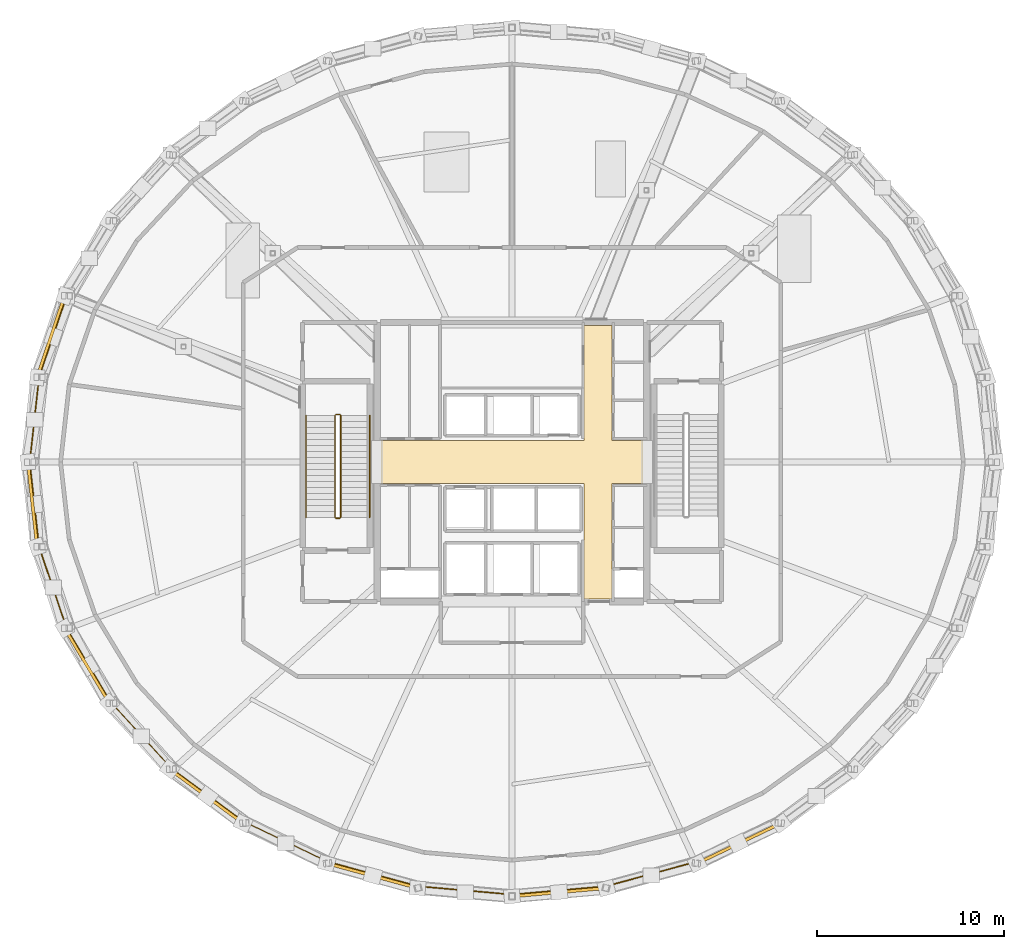
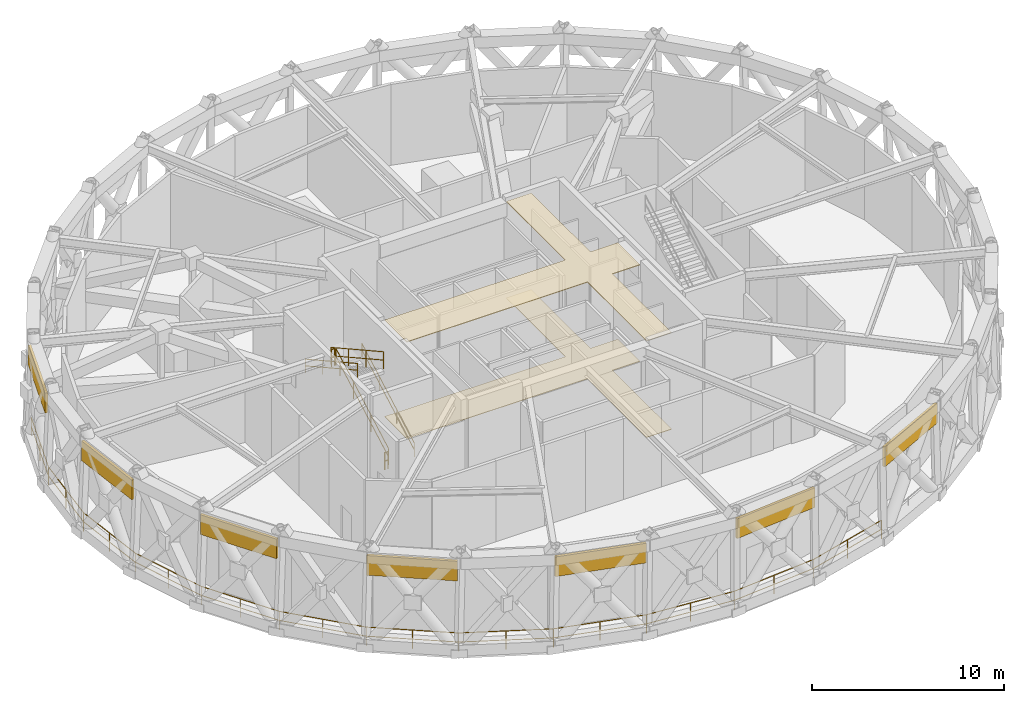
# One storey, part 12 of 15: 12 railings, 7 shading devices, 2 coverings.
"""IFC4 building model written with IfcOpenShell, lengths in metres."""

from ifc_helpers import new_model, si_unit, direction, frame, origin, origin_2d, place, context, subcontext, project, spatial, polyline, rectangle, circle, outline, extrude, material, layer, layer_set, type_object, element, save


model = new_model("IFC4")

# Units and contexts
model_context = context("Model", 3, precision=1e-05, world=origin(), true_north=direction((0.0, 1.0)))
body_context = subcontext(model_context, "Body", "Model", "MODEL_VIEW")
ifc_project = project(units=[si_unit("LENGTHUNIT", "METRE"), si_unit("AREAUNIT", "SQUARE_METRE"), si_unit("VOLUMEUNIT", "CUBIC_METRE"), si_unit("PLANEANGLEUNIT", "RADIAN"), si_unit("MASSUNIT", "GRAM", prefix="KILO")], contexts=[model_context])

# Site, building, storey
site_placement = place(None, origin())
site = spatial("IfcSite", under=ifc_project, at=site_placement, CompositionType="ELEMENT")
building_placement = place(site_placement, origin())
building = spatial("IfcBuilding", under=site, at=building_placement, Name="Veldorina Hangang Commons", CompositionType="ELEMENT")
storey_placement = place(building_placement, frame((0.0, 0.0, 208.39990234375)))
storey = spatial("IfcBuildingStorey", under=building, at=storey_placement, Name="L54", CompositionType="ELEMENT", Elevation=208.39990234375)

# Coverings
ifc_material_1 = material(Name="Mineral Fibre Acoustic Tile", Category="gypsum")
ifc_layer_1 = layer(ifc_material_1, 0.0400390625)
ifc_layer_set_1 = layer_set([ifc_layer_1], Name="Mineral Fibre Acoustic Tile")
covering_type_1 = type_object("IfcCoveringType", Name="COV-CEIL-AC60", PredefinedType="CEILING", material=ifc_layer_set_1)
covering_1_placement = place(storey_placement, frame((0.0, 0.0, 6.1201171875)))
element("IfcCovering", 1, at=covering_1_placement, inside=storey, type_object=covering_type_1, Name="L54 lobby suspended acoustic ceiling", PredefinedType="CEILING", context=body_context, shape_type="SweptSolid", body=[
    extrude(outline(polyline([(25.0, 22.85009765625), (35.85009765625, 22.85009765625), (35.85009765625, 16.699951171875), (37.35009765625, 16.699951171875), (37.35009765625, 22.85009765625), (39.0, 22.85009765625), (39.0, 25.14990234375), (37.35009765625, 25.14990234375), (37.35009765625, 31.300048828125), (35.85009765625, 31.300048828125), (35.85009765625, 25.14990234375), (25.0, 25.14990234375), (25.0, 22.85009765625)])), origin(), (0.0, 0.0, 1.0), 0.0400390625),
])
ifc_material_2 = material(Name="Stone Venetian Terrazzo", Category="masonry")
ifc_layer_2 = layer(ifc_material_2, 0.030029296875)
ifc_layer_set_2 = layer_set([ifc_layer_2], Name="Stone Venetian Terrazzo")
covering_type_2 = type_object("IfcCoveringType", Name="COV-FLR-TERZ", PredefinedType="FLOORING", material=ifc_layer_set_2)
covering_2_placement = place(storey_placement, origin())
element("IfcCovering", 2, at=covering_2_placement, inside=storey, type_object=covering_type_2, Name="L54 lobby terrazzo floor finish", PredefinedType="FLOORING", context=body_context, shape_type="SweptSolid", body=[
    extrude(outline(polyline([(25.0, 22.85009765625), (35.85009765625, 22.85009765625), (35.85009765625, 16.699951171875), (37.35009765625, 16.699951171875), (37.35009765625, 22.85009765625), (39.0, 22.85009765625), (39.0, 25.14990234375), (37.35009765625, 25.14990234375), (37.35009765625, 31.300048828125), (35.85009765625, 31.300048828125), (35.85009765625, 25.14990234375), (25.0, 25.14990234375), (25.0, 22.85009765625)])), origin(), (0.0, 0.0, 1.0), 0.030029296875),
])

# Shading devices
ifc_material_3 = material(Name="Bronze Perforated Anodized", Category="metal")
ifc_layer_3 = layer(ifc_material_3, 0.159912109375)
ifc_layer_set_3 = layer_set([ifc_layer_3], Name="Bronze Perforated Anodized")
shading_device_type = type_object("IfcShadingDeviceType", Name="LVR-WND-4800", PredefinedType="JALOUSIE", material=ifc_layer_set_3)
shading_device_1_placement = place(storey_placement, frame((7.383056640625, 30.69970703125, 4.59521484375), z_axis=(0.0, 0.0, 1.0), x_axis=(-0.320315399884, -0.947310954543, 0.0)))
element("IfcShadingDevice", 3, at=shading_device_1_placement, inside=storey, type_object=shading_device_type, Name="L54 open wind-floor high storm louvre 14", PredefinedType="JALOUSIE", context=body_context, shape_type="SweptSolid", body=[
    extrude(rectangle(XDim=4.472412109375, YDim=0.159912109375, at=origin_2d()), origin(), (0.0, 0.0, 1.0), 1.25),
])
shading_device_2_placement = place(storey_placement, frame((6.399169921875, 21.73779296875, 4.59521484375), z_axis=(0.0, 0.0, 1.0), x_axis=(0.109127114459, -0.994027802876, 0.0)))
element("IfcShadingDevice", 4, at=shading_device_2_placement, inside=storey, type_object=shading_device_type, Name="L54 open wind-floor high storm louvre 16", PredefinedType="JALOUSIE", context=body_context, shape_type="SweptSolid", body=[
    extrude(rectangle(XDim=4.431396484375, YDim=0.159912109375, at=origin_2d()), origin(), (0.0, 0.0, 1.0), 1.25),
])
shading_device_3_placement = place(storey_placement, frame((9.312744140625, 13.12060546875, 4.59521484375), z_axis=(0.0, 0.0, 1.0), x_axis=(0.511817972151, -0.859093920002, 0.0)))
element("IfcShadingDevice", 5, at=shading_device_3_placement, inside=storey, type_object=shading_device_type, Name="L54 open wind-floor high storm louvre 18", PredefinedType="JALOUSIE", context=body_context, shape_type="SweptSolid", body=[
    extrude(rectangle(XDim=4.547119140625, YDim=0.159912109375, at=origin_2d()), origin(), (0.0, 0.0, 1.0), 1.25),
])
shading_device_4_placement = place(storey_placement, frame((15.680419921875, 6.15966796875, 4.59521484375), z_axis=(0.0, 0.0, 1.0), x_axis=(0.805266494535, -0.592913039813, 0.0)))
element("IfcShadingDevice", 6, at=shading_device_4_placement, inside=storey, type_object=shading_device_type, Name="L54 open wind-floor high storm louvre 20", PredefinedType="JALOUSIE", context=body_context, shape_type="SweptSolid", body=[
    extrude(rectangle(XDim=4.744384765625, YDim=0.159912109375, at=origin_2d()), origin(), (0.0, 0.0, 1.0), 1.25),
])
shading_device_5_placement = place(storey_placement, frame((24.532470703125, 1.91455078125, 4.59521484375), z_axis=(0.0, 0.0, 1.0), x_axis=(0.964906584268, -0.262593380791, 0.0)))
element("IfcShadingDevice", 7, at=shading_device_5_placement, inside=storey, type_object=shading_device_type, Name="L54 open wind-floor high storm louvre 22", PredefinedType="JALOUSIE", context=body_context, shape_type="SweptSolid", body=[
    extrude(rectangle(XDim=4.905517578125, YDim=0.159912109375, at=origin_2d()), origin(), (0.0, 0.0, 1.0), 1.25),
])
shading_device_6_placement = place(storey_placement, frame((34.521484375, 1.031982421875, 4.59521484375), z_axis=(0.0, 0.0, 1.0), x_axis=(0.996118261045, 0.088025053325, 0.0)))
element("IfcShadingDevice", 8, at=shading_device_6_placement, inside=storey, type_object=shading_device_type, Name="L54 open wind-floor high storm louvre 24", PredefinedType="JALOUSIE", context=body_context, shape_type="SweptSolid", body=[
    extrude(rectangle(XDim=4.9423828125, YDim=0.159912109375, at=origin_2d()), origin(), (0.0, 0.0, 1.0), 1.25),
])
shading_device_7_placement = place(storey_placement, frame((44.12646484375, 3.64599609375, 4.59521484375), z_axis=(0.0, 0.0, 1.0), x_axis=(0.901681645086, 0.432400521409, 0.0)))
element("IfcShadingDevice", 9, at=shading_device_7_placement, inside=storey, type_object=shading_device_type, Name="L54 open wind-floor high storm louvre 26", PredefinedType="JALOUSIE", context=body_context, shape_type="SweptSolid", body=[
    extrude(rectangle(XDim=4.836181640625, YDim=0.159912109375, at=origin_2d()), origin(), (0.0, 0.0, 1.0), 1.25),
])

# Railings
ifc_material_4 = material(Name="Steel Painted Balustrade", Category="steel")
railing_type_1 = type_object("IfcRailingType", Name="RL-GRD-STAIR", PredefinedType="GUARDRAIL", material=ifc_material_4)
railing_1_placement = place(storey_placement, frame((22.85009765625, 21.050048828125, 0.177978515625)))
element("IfcRailing", 10, at=railing_1_placement, inside=storey, type_object=railing_type_1, Name="L54 ST-1 stair guard 1", PredefinedType="GUARDRAIL", context=body_context, shape_type="SweptSolid", body=[
    extrude(circle(Radius=0.02392578125, at=origin_2d()), frame((0.0, 0.0, 1.076171875), z_axis=(0.0, 0.874155425575, 0.485646262148), x_axis=(-1.0, 0.0, 0.0)), (0.0, 0.0, 1.0), 6.22314453125),
    extrude(circle(Radius=0.02392578125, at=origin_2d()), frame((0.0, 0.0, 0.550048828125), z_axis=(0.0, 0.874155425575, 0.485646262148), x_axis=(-1.0, 0.0, 0.0)), (0.0, 0.0, 1.0), 6.22314453125),
    extrude(circle(Radius=0.02099609375, at=origin_2d()), origin(), (0.0, 0.0, 1.0), 1.052001953125),
    extrude(circle(Radius=0.02099609375, at=origin_2d()), frame((0.0, 1.813232421875, 1.00732421875)), (0.0, 0.0, 1.0), 1.052001953125),
    extrude(circle(Radius=0.02099609375, at=origin_2d()), frame((0.0, 3.626708984375, 2.014892578125)), (0.0, 0.0, 1.0), 1.052001953125),
    extrude(circle(Radius=0.02099609375, at=origin_2d()), frame((0.0, 5.43994140625, 3.022216796875)), (0.0, 0.0, 1.0), 1.052001953125),
])
railing_2_placement = place(storey_placement, frame((22.800048828125, 26.5400390625, 3.2001953125)))
element("IfcRailing", 11, at=railing_2_placement, inside=storey, type_object=railing_type_1, Name="L54 ST-1 stair guard 2", PredefinedType="GUARDRAIL", context=body_context, shape_type="SweptSolid", body=[
    extrude(circle(Radius=0.02392578125, at=origin_2d()), frame((0.0, 0.0, 1.076171875), z_axis=(-1.0, 0.0, 0.0), x_axis=(0.0, -1.0, 0.0)), (0.0, 0.0, 1.0), 0.199951171875),
    extrude(circle(Radius=0.02392578125, at=origin_2d()), frame((0.0, 0.0, 0.550048828125), z_axis=(-1.0, 0.0, 0.0), x_axis=(0.0, -1.0, 0.0)), (0.0, 0.0, 1.0), 0.199951171875),
    extrude(circle(Radius=0.02099609375, at=origin_2d()), origin(), (0.0, 0.0, 1.0), 1.052001953125),
    extrude(circle(Radius=0.02099609375, at=origin_2d()), frame((-0.199951171875, 0.0, 0.0)), (0.0, 0.0, 1.0), 1.052001953125),
])
railing_3_placement = place(storey_placement, frame((22.550048828125, 26.489990234375, 3.3779296875)))
element("IfcRailing", 12, at=railing_3_placement, inside=storey, type_object=railing_type_1, Name="L54 ST-1 stair guard 3", PredefinedType="GUARDRAIL", context=body_context, shape_type="SweptSolid", body=[
    extrude(circle(Radius=0.02392578125, at=origin_2d()), frame((0.0, 0.0, 1.076171875), z_axis=(0.0, -0.874155425575, 0.485646262148), x_axis=(1.0, 0.0, 0.0)), (0.0, 0.0, 1.0), 6.22314453125),
    extrude(circle(Radius=0.02392578125, at=origin_2d()), frame((0.0, 0.0, 0.550048828125), z_axis=(0.0, -0.874155425575, 0.485646262148), x_axis=(1.0, 0.0, 0.0)), (0.0, 0.0, 1.0), 6.22314453125),
    extrude(circle(Radius=0.02099609375, at=origin_2d()), origin(), (0.0, 0.0, 1.0), 1.052001953125),
    extrude(circle(Radius=0.02099609375, at=origin_2d()), frame((0.0, -1.813232421875, 1.00732421875)), (0.0, 0.0, 1.0), 1.052001953125),
    extrude(circle(Radius=0.02099609375, at=origin_2d()), frame((0.0, -3.626708984375, 2.014892578125)), (0.0, 0.0, 1.0), 1.052001953125),
    extrude(circle(Radius=0.02099609375, at=origin_2d()), frame((0.0, -5.43994140625, 3.022216796875)), (0.0, 0.0, 1.0), 1.052001953125),
])
railing_4_placement = place(storey_placement, frame((22.800048828125, 21.0, 0.0)))
element("IfcRailing", 13, at=railing_4_placement, inside=storey, type_object=railing_type_1, Name="L54 ST-1 stair guard 4", PredefinedType="GUARDRAIL", context=body_context, shape_type="SweptSolid", body=[
    extrude(circle(Radius=0.02392578125, at=origin_2d()), frame((0.0, 0.0, 1.076171875), z_axis=(-1.0, 0.0, 0.0), x_axis=(0.0, -1.0, 0.0)), (0.0, 0.0, 1.0), 0.199951171875),
    extrude(circle(Radius=0.02392578125, at=origin_2d()), frame((0.0, 0.0, 0.550048828125), z_axis=(-1.0, 0.0, 0.0), x_axis=(0.0, -1.0, 0.0)), (0.0, 0.0, 1.0), 0.199951171875),
    extrude(circle(Radius=0.02099609375, at=origin_2d()), origin(), (0.0, 0.0, 1.0), 1.052001953125),
    extrude(circle(Radius=0.02099609375, at=origin_2d()), frame((-0.199951171875, 0.0, 0.0)), (0.0, 0.0, 1.0), 1.052001953125),
])
ifc_material_5 = material(Name="Stainless Steel Brushed 316", Category="steel")
railing_type_2 = type_object("IfcRailingType", Name="RL-GRD-WIND", PredefinedType="GUARDRAIL", material=ifc_material_5)
railing_5_placement = place(storey_placement, frame((8.212158203125, 32.840087890625, 0.0)))
element("IfcRailing", 14, at=railing_5_placement, inside=storey, type_object=railing_type_2, Name="L54 wind gallery perimeter safety guard 08", PredefinedType="GUARDRAIL", context=body_context, shape_type="SweptSolid", body=[
    extrude(circle(Radius=0.02392578125, at=origin_2d()), frame((0.0, 0.0, 1.17578125), z_axis=(-0.320515144125, -0.947243391313, 0.0), x_axis=(0.947243391313, -0.320515144125, 0.0)), (0.0, 0.0, 1.0), 4.574951171875),
    extrude(circle(Radius=0.02392578125, at=origin_2d()), frame((0.0, 0.0, 0.60009765625), z_axis=(-0.320515144125, -0.947243391313, 0.0), x_axis=(0.947243391313, -0.320515144125, 0.0)), (0.0, 0.0, 1.0), 4.574951171875),
    extrude(circle(Radius=0.02392578125, at=origin_2d()), frame((-1.46630859375, -4.33349609375, 1.17578125), z_axis=(-0.109207994496, -0.994018920312, 0.0), x_axis=(0.994018920312, -0.109207994496, 0.0)), (0.0, 0.0, 1.0), 4.53369140625),
    extrude(circle(Radius=0.02392578125, at=origin_2d()), frame((-1.46630859375, -4.33349609375, 0.60009765625), z_axis=(-0.109207994496, -0.994018920312, 0.0), x_axis=(0.994018920312, -0.109207994496, 0.0)), (0.0, 0.0, 1.0), 4.53369140625),
    extrude(circle(Radius=0.02099609375, at=origin_2d()), origin(), (0.0, 0.0, 1.0), 1.15185546875),
    extrude(circle(Radius=0.02099609375, at=origin_2d()), frame((-0.733154296875, -2.166748046875, 0.0)), (0.0, 0.0, 1.0), 1.15185546875),
    extrude(circle(Radius=0.02099609375, at=origin_2d()), frame((-1.46630859375, -4.33349609375, 0.0)), (0.0, 0.0, 1.0), 1.15185546875),
    extrude(circle(Radius=0.02099609375, at=origin_2d()), frame((-1.7138671875, -6.5869140625, 0.0)), (0.0, 0.0, 1.0), 1.15185546875),
    extrude(circle(Radius=0.02099609375, at=origin_2d()), frame((-1.96142578125, -8.840087890625, 0.0)), (0.0, 0.0, 1.0), 1.15185546875),
])
railing_6_placement = place(storey_placement, frame((6.250732421875, 24.0, 0.0)))
element("IfcRailing", 15, at=railing_6_placement, inside=storey, type_object=railing_type_2, Name="L54 wind gallery perimeter safety guard 09", PredefinedType="GUARDRAIL", context=body_context, shape_type="SweptSolid", body=[
    extrude(circle(Radius=0.02392578125, at=origin_2d()), frame((0.0, 0.0, 1.17578125), z_axis=(0.109207994496, -0.994018920312, 0.0), x_axis=(0.994018920312, 0.109207994496, 0.0)), (0.0, 0.0, 1.0), 4.53369140625),
    extrude(circle(Radius=0.02392578125, at=origin_2d()), frame((0.0, 0.0, 0.60009765625), z_axis=(0.109207994496, -0.994018920312, 0.0), x_axis=(0.994018920312, 0.109207994496, 0.0)), (0.0, 0.0, 1.0), 4.53369140625),
    extrude(circle(Radius=0.02392578125, at=origin_2d()), frame((0.4951171875, -4.506591796875, 1.17578125), z_axis=(0.320515144125, -0.947243391313, 0.0), x_axis=(0.947243391313, 0.320515144125, 0.0)), (0.0, 0.0, 1.0), 4.574951171875),
    extrude(circle(Radius=0.02392578125, at=origin_2d()), frame((0.4951171875, -4.506591796875, 0.60009765625), z_axis=(0.320515144125, -0.947243391313, 0.0), x_axis=(0.947243391313, 0.320515144125, 0.0)), (0.0, 0.0, 1.0), 4.574951171875),
    extrude(circle(Radius=0.02099609375, at=origin_2d()), origin(), (0.0, 0.0, 1.0), 1.15185546875),
    extrude(circle(Radius=0.02099609375, at=origin_2d()), frame((0.24755859375, -2.25341796875, 0.0)), (0.0, 0.0, 1.0), 1.15185546875),
    extrude(circle(Radius=0.02099609375, at=origin_2d()), frame((0.4951171875, -4.506591796875, 0.0)), (0.0, 0.0, 1.0), 1.15185546875),
    extrude(circle(Radius=0.02099609375, at=origin_2d()), frame((1.228271484375, -6.67333984375, 0.0)), (0.0, 0.0, 1.0), 1.15185546875),
    extrude(circle(Radius=0.02099609375, at=origin_2d()), frame((1.96142578125, -8.840087890625, 0.0)), (0.0, 0.0, 1.0), 1.15185546875),
])
railing_7_placement = place(storey_placement, frame((8.212158203125, 15.159912109375, 0.0)))
element("IfcRailing", 16, at=railing_7_placement, inside=storey, type_object=railing_type_2, Name="L54 wind gallery perimeter safety guard 10", PredefinedType="GUARDRAIL", context=body_context, shape_type="SweptSolid", body=[
    extrude(circle(Radius=0.02392578125, at=origin_2d()), frame((0.0, 0.0, 1.17578125), z_axis=(0.512161408296, -0.858889219779, 0.0), x_axis=(0.858889219779, 0.512161408296, 0.0)), (0.0, 0.0, 1.0), 4.648681640625),
    extrude(circle(Radius=0.02392578125, at=origin_2d()), frame((0.0, 0.0, 0.60009765625), z_axis=(0.512161408296, -0.858889219779, 0.0), x_axis=(0.858889219779, 0.512161408296, 0.0)), (0.0, 0.0, 1.0), 4.648681640625),
    extrude(circle(Radius=0.02392578125, at=origin_2d()), frame((2.380859375, -3.99267578125, 1.17578125), z_axis=(0.675284037491, -0.737557773134, 0.0), x_axis=(0.737557773134, 0.675284037491, 0.0)), (0.0, 0.0, 1.0), 4.74365234375),
    extrude(circle(Radius=0.02392578125, at=origin_2d()), frame((2.380859375, -3.99267578125, 0.60009765625), z_axis=(0.675284037491, -0.737557773134, 0.0), x_axis=(0.737557773134, 0.675284037491, 0.0)), (0.0, 0.0, 1.0), 4.74365234375),
    extrude(circle(Radius=0.02099609375, at=origin_2d()), origin(), (0.0, 0.0, 1.0), 1.15185546875),
    extrude(circle(Radius=0.02099609375, at=origin_2d()), frame((1.1904296875, -1.996337890625, 0.0)), (0.0, 0.0, 1.0), 1.15185546875),
    extrude(circle(Radius=0.02099609375, at=origin_2d()), frame((2.380859375, -3.99267578125, 0.0)), (0.0, 0.0, 1.0), 1.15185546875),
    extrude(circle(Radius=0.02099609375, at=origin_2d()), frame((3.982421875, -5.7421875, 0.0)), (0.0, 0.0, 1.0), 1.15185546875),
    extrude(circle(Radius=0.02099609375, at=origin_2d()), frame((5.584228515625, -7.491455078125, 0.0)), (0.0, 0.0, 1.0), 1.15185546875),
])
railing_8_placement = place(storey_placement, frame((13.79638671875, 7.66845703125, 0.0)))
element("IfcRailing", 17, at=railing_8_placement, inside=storey, type_object=railing_type_2, Name="L54 wind gallery perimeter safety guard 11", PredefinedType="GUARDRAIL", context=body_context, shape_type="SweptSolid", body=[
    extrude(circle(Radius=0.02392578125, at=origin_2d()), frame((0.0, 0.0, 1.17578125), z_axis=(0.805505265905, -0.592588614976, 0.0), x_axis=(0.592588614976, 0.805505265905, 0.0)), (0.0, 0.0, 1.0), 4.844482421875),
    extrude(circle(Radius=0.02392578125, at=origin_2d()), frame((0.0, 0.0, 0.60009765625), z_axis=(0.805505265905, -0.592588614976, 0.0), x_axis=(0.592588614976, 0.805505265905, 0.0)), (0.0, 0.0, 1.0), 4.844482421875),
    extrude(circle(Radius=0.02392578125, at=origin_2d()), frame((3.90234375, -2.870849609375, 1.17578125), z_axis=(0.901857790076, -0.432033015496, 0.0), x_axis=(0.432033015496, 0.901857790076, 0.0)), (0.0, 0.0, 1.0), 4.935546875),
    extrude(circle(Radius=0.02392578125, at=origin_2d()), frame((3.90234375, -2.870849609375, 0.60009765625), z_axis=(0.901857790076, -0.432033015496, 0.0), x_axis=(0.432033015496, 0.901857790076, 0.0)), (0.0, 0.0, 1.0), 4.935546875),
    extrude(circle(Radius=0.02099609375, at=origin_2d()), origin(), (0.0, 0.0, 1.0), 1.15185546875),
    extrude(circle(Radius=0.02099609375, at=origin_2d()), frame((1.951171875, -1.435546875, 0.0)), (0.0, 0.0, 1.0), 1.15185546875),
    extrude(circle(Radius=0.02099609375, at=origin_2d()), frame((3.90234375, -2.870849609375, 0.0)), (0.0, 0.0, 1.0), 1.15185546875),
    extrude(circle(Radius=0.02099609375, at=origin_2d()), frame((6.1279296875, -3.93701171875, 0.0)), (0.0, 0.0, 1.0), 1.15185546875),
    extrude(circle(Radius=0.02099609375, at=origin_2d()), frame((8.353515625, -5.003173828125, 0.0)), (0.0, 0.0, 1.0), 1.15185546875),
])
railing_9_placement = place(storey_placement, frame((22.14990234375, 2.665283203125, 0.0)))
element("IfcRailing", 18, at=railing_9_placement, inside=storey, type_object=railing_type_2, Name="L54 wind gallery perimeter safety guard 12", PredefinedType="GUARDRAIL", context=body_context, shape_type="SweptSolid", body=[
    extrude(circle(Radius=0.02392578125, at=origin_2d()), frame((0.0, 0.0, 1.17578125), z_axis=(0.964965067549, -0.26237838785, 0.0), x_axis=(0.26237838785, 0.964965067549, 0.0)), (0.0, 0.0, 1.0), 5.004150390625),
    extrude(circle(Radius=0.02392578125, at=origin_2d()), frame((0.0, 0.0, 0.60009765625), z_axis=(0.964965067549, -0.26237838785, 0.0), x_axis=(0.26237838785, 0.964965067549, 0.0)), (0.0, 0.0, 1.0), 5.004150390625),
    extrude(circle(Radius=0.02392578125, at=origin_2d()), frame((4.828857421875, -1.31298828125, 1.17578125), z_axis=(0.996128727454, -0.087906531839, 0.0), x_axis=(0.087906531839, 0.996128727454, 0.0)), (0.0, 0.0, 1.0), 5.040771484375),
    extrude(circle(Radius=0.02392578125, at=origin_2d()), frame((4.828857421875, -1.31298828125, 0.60009765625), z_axis=(0.996128727454, -0.087906531839, 0.0), x_axis=(0.087906531839, 0.996128727454, 0.0)), (0.0, 0.0, 1.0), 5.040771484375),
    extrude(circle(Radius=0.02099609375, at=origin_2d()), origin(), (0.0, 0.0, 1.0), 1.15185546875),
    extrude(circle(Radius=0.02099609375, at=origin_2d()), frame((2.41455078125, -0.656494140625, 0.0)), (0.0, 0.0, 1.0), 1.15185546875),
    extrude(circle(Radius=0.02099609375, at=origin_2d()), frame((4.828857421875, -1.31298828125, 0.0)), (0.0, 0.0, 1.0), 1.15185546875),
    extrude(circle(Radius=0.02099609375, at=origin_2d()), frame((7.33935546875, -1.53466796875, 0.0)), (0.0, 0.0, 1.0), 1.15185546875),
    extrude(circle(Radius=0.02099609375, at=origin_2d()), frame((9.85009765625, -1.756103515625, 0.0)), (0.0, 0.0, 1.0), 1.15185546875),
])
railing_10_placement = place(storey_placement, frame((32.0, 0.9091796875, 0.0)))
element("IfcRailing", 19, at=railing_10_placement, inside=storey, type_object=railing_type_2, Name="L54 wind gallery perimeter safety guard 13", PredefinedType="GUARDRAIL", context=body_context, shape_type="SweptSolid", body=[
    extrude(circle(Radius=0.02392578125, at=origin_2d()), frame((0.0, 0.0, 1.17578125), z_axis=(0.996128727454, 0.087906531839, 0.0), x_axis=(-0.087906531839, 0.996128727454, 0.0)), (0.0, 0.0, 1.0), 5.040771484375),
    extrude(circle(Radius=0.02392578125, at=origin_2d()), frame((0.0, 0.0, 0.60009765625), z_axis=(0.996128727454, 0.087906531839, 0.0), x_axis=(-0.087906531839, 0.996128727454, 0.0)), (0.0, 0.0, 1.0), 5.040771484375),
    extrude(circle(Radius=0.02392578125, at=origin_2d()), frame((5.021240234375, 0.443115234375, 1.17578125), z_axis=(0.964965067549, 0.26237838785, 0.0), x_axis=(-0.26237838785, 0.964965067549, 0.0)), (0.0, 0.0, 1.0), 5.004150390625),
    extrude(circle(Radius=0.02392578125, at=origin_2d()), frame((5.021240234375, 0.443115234375, 0.60009765625), z_axis=(0.964965067549, 0.26237838785, 0.0), x_axis=(-0.26237838785, 0.964965067549, 0.0)), (0.0, 0.0, 1.0), 5.004150390625),
    extrude(circle(Radius=0.02099609375, at=origin_2d()), origin(), (0.0, 0.0, 1.0), 1.15185546875),
    extrude(circle(Radius=0.02099609375, at=origin_2d()), frame((2.5107421875, 0.2216796875, 0.0)), (0.0, 0.0, 1.0), 1.15185546875),
    extrude(circle(Radius=0.02099609375, at=origin_2d()), frame((5.021240234375, 0.443115234375, 0.0)), (0.0, 0.0, 1.0), 1.15185546875),
    extrude(circle(Radius=0.02099609375, at=origin_2d()), frame((7.435546875, 1.099609375, 0.0)), (0.0, 0.0, 1.0), 1.15185546875),
    extrude(circle(Radius=0.02099609375, at=origin_2d()), frame((9.85009765625, 1.756103515625, 0.0)), (0.0, 0.0, 1.0), 1.15185546875),
])
railing_type_3 = type_object("IfcRailingType", Name="RL-HND-STAIR", PredefinedType="HANDRAIL", material=ifc_material_5)
railing_11_placement = place(storey_placement, frame((24.39990234375, 21.050048828125, 0.177978515625)))
element("IfcRailing", 20, at=railing_11_placement, inside=storey, type_object=railing_type_3, Name="L54 ST-1 stair handrail 1", PredefinedType="HANDRAIL", context=body_context, shape_type="SweptSolid", body=[
    extrude(circle(Radius=0.02392578125, at=origin_2d()), frame((0.0, 0.0, 0.8759765625), z_axis=(0.0, 0.874155425575, 0.485646262148), x_axis=(-1.0, 0.0, 0.0)), (0.0, 0.0, 1.0), 6.22314453125),
    extrude(circle(Radius=0.02392578125, at=origin_2d()), frame((0.0, 0.0, 0.449951171875), z_axis=(0.0, 0.874155425575, 0.485646262148), x_axis=(-1.0, 0.0, 0.0)), (0.0, 0.0, 1.0), 6.22314453125),
    extrude(circle(Radius=0.02099609375, at=origin_2d()), origin(), (0.0, 0.0, 1.0), 0.851806640625),
    extrude(circle(Radius=0.02099609375, at=origin_2d()), frame((0.0, 1.813232421875, 1.00732421875)), (0.0, 0.0, 1.0), 0.851806640625),
    extrude(circle(Radius=0.02099609375, at=origin_2d()), frame((0.0, 3.626708984375, 2.014892578125)), (0.0, 0.0, 1.0), 0.851806640625),
    extrude(circle(Radius=0.02099609375, at=origin_2d()), frame((0.0, 5.43994140625, 3.022216796875)), (0.0, 0.0, 1.0), 0.851806640625),
])
railing_12_placement = place(storey_placement, frame((21.0, 26.489990234375, 3.3779296875)))
element("IfcRailing", 21, at=railing_12_placement, inside=storey, type_object=railing_type_3, Name="L54 ST-1 stair handrail 2", PredefinedType="HANDRAIL", context=body_context, shape_type="SweptSolid", body=[
    extrude(circle(Radius=0.02392578125, at=origin_2d()), frame((0.0, 0.0, 0.8759765625), z_axis=(0.0, -0.874155425575, 0.485646262148), x_axis=(1.0, 0.0, 0.0)), (0.0, 0.0, 1.0), 6.22314453125),
    extrude(circle(Radius=0.02392578125, at=origin_2d()), frame((0.0, 0.0, 0.449951171875), z_axis=(0.0, -0.874155425575, 0.485646262148), x_axis=(1.0, 0.0, 0.0)), (0.0, 0.0, 1.0), 6.22314453125),
    extrude(circle(Radius=0.02099609375, at=origin_2d()), origin(), (0.0, 0.0, 1.0), 0.851806640625),
    extrude(circle(Radius=0.02099609375, at=origin_2d()), frame((0.0, -1.813232421875, 1.00732421875)), (0.0, 0.0, 1.0), 0.851806640625),
    extrude(circle(Radius=0.02099609375, at=origin_2d()), frame((0.0, -3.626708984375, 2.014892578125)), (0.0, 0.0, 1.0), 0.851806640625),
    extrude(circle(Radius=0.02099609375, at=origin_2d()), frame((0.0, -5.43994140625, 3.022216796875)), (0.0, 0.0, 1.0), 0.851806640625),
])

save(model, "model.ifc")
